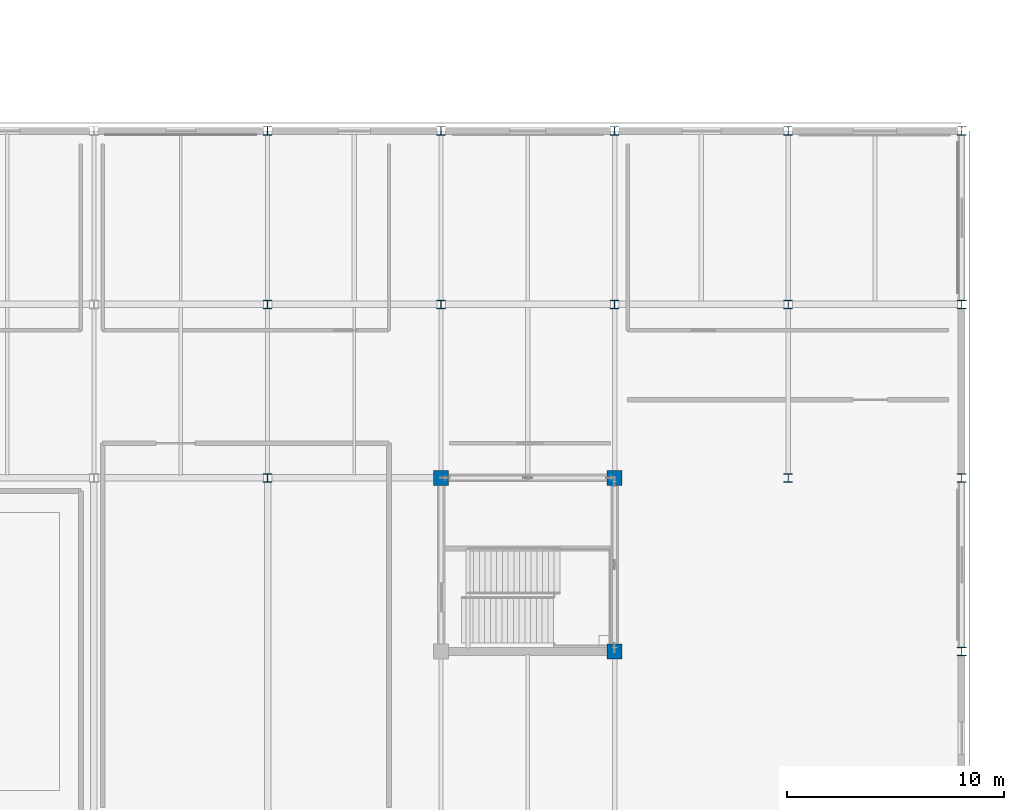
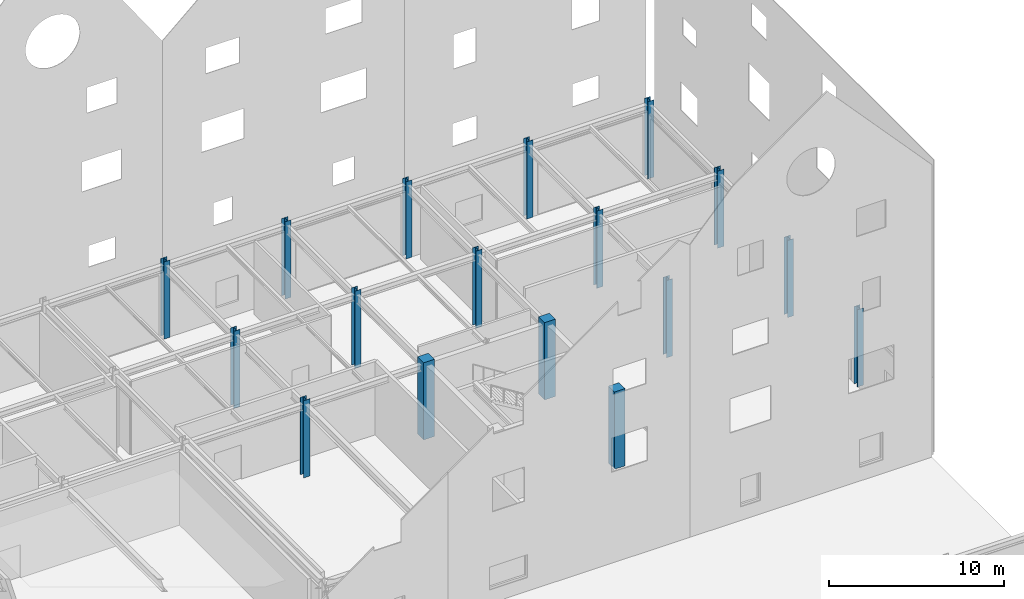
# One storey, part 19 of 119: 17 columns.
"""IFC4 building model written with IfcOpenShell, lengths in metres."""

import ifcopenshell
import ifcopenshell.guid

model = None  # the IFC model being written
_history = None  # IfcOwnerHistory: only IFC2X3 demands one
_inside = {}  # id of a spatial element -> (the spatial element, [elements in it])
_under = {}  # id of a project, library or spatial element -> (it, [spatial elements below it])
_declared = {}  # id of a project -> (the project, [libraries it declares])
_typed = {}  # id of a type object -> (the type object, [elements of that type])
_made_of = {}  # id of a material, layer set ... -> (it, [elements and type objects made of it])


def new_model(schema):
    """Start an empty IFC model of exactly this schema.

    Asked for "IFC4X3", IfcOpenShell would pick the latest addendum, in which some entities
    have other attributes; the version numbers below select the first issue.
    IFC2X3 requires an IfcOwnerHistory on every rooted entity: one is made here for all.
    """
    global model, _history
    if schema == "IFC4X3":
        model = ifcopenshell.file(schema_version=(4, 3, 0, 0))
    else:
        model = ifcopenshell.file(schema=schema)
    _inside.clear()
    _under.clear()
    _declared.clear()
    _typed.clear()
    _made_of.clear()
    _history = None
    if model.schema == "IFC2X3":
        org = make("IfcOrganization", Name="unknown")
        user = make(
            "IfcPersonAndOrganization",
            ThePerson=make("IfcPerson", FamilyName="unknown"),
            TheOrganization=org,
        )
        app = make(
            "IfcApplication",
            ApplicationDeveloper=org,
            Version="unknown",
            ApplicationFullName="unknown",
            ApplicationIdentifier="unknown",
        )
        _history = make(
            "IfcOwnerHistory",
            OwningUser=user,
            OwningApplication=app,
            ChangeAction="ADDED",
            CreationDate=0,
        )
    return model


def make(cls, **values):
    """One entity of the class cls with the attributes given. An attribute that is None is left unset."""
    return model.create_entity(
        cls, **{name: value for name, value in values.items() if value is not None}
    )


def rooted(cls, **values):
    """An entity with a GlobalId (a new one), such as an element, a storey or a relation."""
    return make(cls, GlobalId=ifcopenshell.guid.new(), OwnerHistory=_history, **values)


def si_unit(unit_type, name, prefix=None):
    """IfcSIUnit, for example si_unit("LENGTHUNIT", "METRE", prefix="MILLI")."""
    return make("IfcSIUnit", UnitType=unit_type, Prefix=prefix, Name=name)


def assignment(units):
    """IfcUnitAssignment: the units of a project."""
    return None if units is None else make("IfcUnitAssignment", Units=units)


def point(xyz):
    """IfcCartesianPoint."""
    return None if xyz is None else make("IfcCartesianPoint", Coordinates=xyz)


def direction(xyz):
    """IfcDirection."""
    return None if xyz is None else make("IfcDirection", DirectionRatios=xyz)


def frame(location, z_axis=None, x_axis=None):
    """IfcAxis2Placement3D, a coordinate frame: its origin and axes. An axis left out is left unset."""
    return make(
        "IfcAxis2Placement3D",
        Location=point(location),
        Axis=direction(z_axis),
        RefDirection=direction(x_axis),
    )


def frame_2d(location, x_axis=None):
    """IfcAxis2Placement2D, a coordinate frame in the plane: its origin and x axis."""
    return make(
        "IfcAxis2Placement2D", Location=point(location), RefDirection=direction(x_axis)
    )


def origin():
    """The frame at (0, 0, 0) with its axes left unset."""
    return frame((0.0, 0.0, 0.0))


def origin_2d():
    """The frame at (0, 0) in the plane with its x axis left unset."""
    return frame_2d((0.0, 0.0))


def place(relative_to, where):
    """IfcLocalPlacement: puts the frame where relative to a parent placement (None: the world)."""
    return make(
        "IfcLocalPlacement", PlacementRelTo=relative_to, RelativePlacement=where
    )


def context(
    kind, dimensions, precision=None, world=None, true_north=None, identifier=None
):
    """IfcGeometricRepresentationContext, for example the 3D "Model" context."""
    return make(
        "IfcGeometricRepresentationContext",
        ContextIdentifier=identifier,
        ContextType=kind,
        CoordinateSpaceDimension=dimensions,
        Precision=precision,
        WorldCoordinateSystem=world,
        TrueNorth=true_north,
    )


def subcontext(parent, identifier, kind, view, scale=None):
    """IfcGeometricRepresentationSubContext, for example "Body" below "Model"."""
    return make(
        "IfcGeometricRepresentationSubContext",
        ContextIdentifier=identifier,
        ContextType=kind,
        ParentContext=parent,
        TargetScale=scale,
        TargetView=view,
    )


def project(units=None, contexts=None):
    """IfcProject with its units and contexts."""
    return rooted(
        "IfcProject",
        Name="project",
        RepresentationContexts=contexts,
        UnitsInContext=assignment(units),
    )


def spatial(cls, under=None, at=None, **own):
    """A site, building, storey or space (cls), placed at a placement, below another one or the project."""
    s = rooted(cls, ObjectPlacement=at, **own)
    if under is not None:
        _under.setdefault(under.id(), (under, []))[1].append(s)
    return s


def profile(cls, at=None, kind="AREA", **sizes):
    """A parametric profile (cls). Its sizes go by their IFC names, for example OverallWidth=200.0."""
    return make(cls, ProfileType=kind, Position=at, **sizes)


def rectangle(**sizes):
    """IfcRectangleProfileDef."""
    return profile("IfcRectangleProfileDef", **sizes)


def i_section(**sizes):
    """IfcIShapeProfileDef."""
    return profile("IfcIShapeProfileDef", **sizes)


def extrude(swept, where, along, depth):
    """IfcExtrudedAreaSolid: the profile swept, set in the frame where, extruded along a direction by depth."""
    return make(
        "IfcExtrudedAreaSolid",
        SweptArea=swept,
        Position=where,
        ExtrudedDirection=direction(along),
        Depth=depth,
    )


def shape(context_of_items, identifier, shape_type, items):
    """IfcShapeRepresentation: the items that make up one representation, for example the "Body"."""
    return make(
        "IfcShapeRepresentation",
        ContextOfItems=context_of_items,
        RepresentationIdentifier=identifier,
        RepresentationType=shape_type,
        Items=items,
    )


def material(Name=None, Category=None):
    """IfcMaterial."""
    return make("IfcMaterial", Name=Name, Category=Category)


def material_profile(
    of_material, cross_section, Name=None, Category=None, Priority=None
):
    """IfcMaterialProfile: a cross section and its material."""
    return make(
        "IfcMaterialProfile",
        Name=Name,
        Material=of_material,
        Profile=cross_section,
        Priority=Priority,
        Category=Category,
    )


def profile_set(profiles, Name=None, composite=None):
    """IfcMaterialProfileSet."""
    return make(
        "IfcMaterialProfileSet",
        Name=Name,
        MaterialProfiles=profiles,
        CompositeProfile=composite,
    )


def made_of(thing, what):
    """Note that an element or type object is made of a material, layer set ...; save() writes the relation."""
    if what is not None:
        _made_of.setdefault(what.id(), (what, []))[1].append(thing)
    return thing


def type_object(cls, material=None, **own):
    """A type object (cls), such as IfcWallType, which elements share."""
    return made_of(rooted(cls, **own), material)


def element(
    cls,
    number,
    at=None,
    inside=None,
    cuts=None,
    type_object=None,
    material=None,
    context=None,
    identifier="Body",
    shape_type=None,
    held_by="IfcProductDefinitionShape",
    body=None,
    shapes=None,
    **own,
):
    """One element of the class cls, such as IfcWall. Its Tag is "e" and its number.

    at: its placement. inside: the storey or other place that contains it. cuts: it is an
    opening in that element (IfcRelVoidsElement). A single representation is given by context,
    identifier, shape_type and body (its items); several are given by shapes. held_by: the class
    of the entity that holds the representations. save() writes the other relations.
    """
    e = rooted(cls, Tag="e%d" % number, ObjectPlacement=at, **own)
    if body is not None:
        shapes = [shape(context, identifier, shape_type, body)]
    if shapes is not None:
        e.Representation = make(held_by, Representations=shapes)
    if inside is not None:
        _inside.setdefault(inside.id(), (inside, []))[1].append(e)
    if cuts is not None:
        rooted(
            "IfcRelVoidsElement", RelatingBuildingElement=cuts, RelatedOpeningElement=e
        )
    if type_object is not None:
        _typed.setdefault(type_object.id(), (type_object, []))[1].append(e)
    return made_of(e, material)


def aggregate(whole, parts):
    """IfcRelAggregates: a whole, such as a stair, and the parts it consists of."""
    return rooted("IfcRelAggregates", RelatingObject=whole, RelatedObjects=parts)


def save(model, path):
    """Write the relations noted so far, then the file.

    IfcRelAggregates (storeys below a building ...), IfcRelContainedInSpatialStructure (elements
    in a storey), IfcRelDefinesByType, IfcRelAssociatesMaterial and IfcRelDeclares: one each for
    every whole, place, type object, material and project.
    """
    for whole, parts in _under.values():
        aggregate(whole, parts)
    for where, things in _inside.values():
        rooted(
            "IfcRelContainedInSpatialStructure",
            RelatedElements=things,
            RelatingStructure=where,
        )
    for kind, things in _typed.values():
        rooted("IfcRelDefinesByType", RelatedObjects=things, RelatingType=kind)
    for what, things in _made_of.values():
        rooted("IfcRelAssociatesMaterial", RelatedObjects=things, RelatingMaterial=what)
    for by, libraries in _declared.values():
        rooted("IfcRelDeclares", RelatingContext=by, RelatedDefinitions=libraries)
    model.write(path)


model = new_model("IFC4")

# Units and contexts
model_context = context("Model", 3, precision=1e-05, world=origin(), true_north=direction((0.0, 1.0)))
body_context = subcontext(model_context, "Body", "Model", "MODEL_VIEW")
ifc_project = project(units=[si_unit("LENGTHUNIT", "METRE"), si_unit("AREAUNIT", "SQUARE_METRE"), si_unit("VOLUMEUNIT", "CUBIC_METRE"), si_unit("PLANEANGLEUNIT", "RADIAN"), si_unit("MASSUNIT", "GRAM", prefix="KILO")], contexts=[model_context])

# Site, building, storey
site_placement = place(None, origin())
site = spatial("IfcSite", under=ifc_project, at=site_placement, CompositionType="ELEMENT")
building_placement = place(site_placement, origin())
building = spatial("IfcBuilding", under=site, at=building_placement, Name="Zhaolan Boulevard Law Courts", CompositionType="ELEMENT")
storey_placement = place(building_placement, origin())
storey = spatial("IfcBuildingStorey", under=building, at=storey_placement, Name="L00", CompositionType="ELEMENT", Elevation=0.0)

# Columns
ifc_material_1 = material(Name="Structural steel Q390B", Category="steel")
ifc_material_profile_1 = material_profile(ifc_material_1, i_section(OverallWidth=0.39990234375, OverallDepth=0.39990234375, WebThickness=0.012939453125, FlangeThickness=0.02099609375, FilletRadius=0.02197265625, at=origin_2d()), Name="HW400x400")
ifc_profile_set_1 = profile_set([ifc_material_profile_1], Name="Structural steel Q390B")
column_type_1 = type_object("IfcColumnType", Name="COL HW400", PredefinedType="COLUMN", material=ifc_profile_set_1)
for number, where, z_axis, x_axis, name in (
    (1, (132.0, 78.0, 0.0), (0.0, 0.0, 1.0), (1.0, 0.0, 0.0), "Column C-17L (L00)"),
    (2, (132.0, 86.0, 0.0), (0.0, 0.0, 1.0), (1.0, 0.0, 0.0), "Column C-17M (L00)"),
    (3, (132.0, 94.0, 0.0), (0.0, 0.0, 1.0), (1.0, 0.0, 0.0), "Column C-17N (L00)"),
    (4, (140.0, 86.0, 0.0), (0.0, 0.0, 1.0), (1.0, 0.0, 0.0), "Column C-18M (L00)"),
    (5, (140.0, 94.0, 0.0), (0.0, 0.0, 1.0), (1.0, 0.0, 0.0), "Column C-18N (L00)"),
    (6, (148.0, 86.0, 0.0), (0.0, 0.0, 1.0), (1.0, 0.0, 0.0), "Column C-19M (L00)"),
    (7, (148.0, 94.0, 0.0), (0.0, 0.0, 1.0), (1.0, 0.0, 0.0), "Column C-19N (L00)"),
    (8, (156.0, 78.0, 0.0), (0.0, 0.0, 1.0), (1.0, 0.0, 0.0), "Column C-20L (L00)"),
    (9, (156.0, 86.0, 0.0), (0.0, 0.0, 1.0), (1.0, 0.0, 0.0), "Column C-20M (L00)"),
    (10, (156.0, 94.0, 0.0), (0.0, 0.0, 1.0), (1.0, 0.0, 0.0), "Column C-20N (L00)"),
    (11, (164.0, 70.0, 0.0), (0.0, 0.0, 1.0), (1.0, 0.0, 0.0), "Column C-21K (L00)"),
    (12, (164.0, 78.0, 0.0), (0.0, 0.0, 1.0), (1.0, 0.0, 0.0), "Column C-21L (L00)"),
    (13, (164.0, 86.0, 0.0), (0.0, 0.0, 1.0), (1.0, 0.0, 0.0), "Column C-21M (L00)"),
    (14, (164.0, 94.0, 0.0), (0.0, 0.0, 1.0), (1.0, 0.0, 0.0), "Column C-21N (L00)"),
):
    element("IfcColumn", number, at=place(storey_placement, frame(where, z_axis=z_axis, x_axis=x_axis)), inside=storey, type_object=column_type_1, Name=name, PredefinedType="COLUMN", context=body_context, shape_type="SweptSolid", body=[
        extrude(i_section(OverallWidth=0.39990234375, OverallDepth=0.39990234375, WebThickness=0.012939453125, FlangeThickness=0.02099609375, FilletRadius=0.02197265625, at=origin_2d()), origin(), (0.0, 0.0, 1.0), 5.39990234375),
    ])
ifc_material_2 = material(Name="Concrete C50", Category="concrete")
ifc_material_profile_2 = material_profile(ifc_material_2, rectangle(XDim=0.699951171875, YDim=0.699951171875, at=origin_2d()), Name="RC700x700")
ifc_profile_set_2 = profile_set([ifc_material_profile_2], Name="Concrete C50")
column_type_2 = type_object("IfcColumnType", Name="COL RC700", PredefinedType="COLUMN", material=ifc_profile_set_2)
for number, where, z_axis, x_axis, name in (
    (15, (140.0, 78.0, 0.0), (0.0, 0.0, 1.0), (1.0, 0.0, 0.0), "Column C-18L (L00)"),
    (16, (148.0, 70.0, 0.0), (0.0, 0.0, 1.0), (1.0, 0.0, 0.0), "Column C-19K (L00)"),
    (17, (148.0, 78.0, 0.0), (0.0, 0.0, 1.0), (1.0, 0.0, 0.0), "Column C-19L (L00)"),
):
    element("IfcColumn", number, at=place(storey_placement, frame(where, z_axis=z_axis, x_axis=x_axis)), inside=storey, type_object=column_type_2, Name=name, PredefinedType="COLUMN", context=body_context, shape_type="SweptSolid", body=[
        extrude(rectangle(XDim=0.699951171875, YDim=0.699951171875, at=origin_2d()), origin(), (0.0, 0.0, 1.0), 5.39990234375),
    ])

save(model, "model.ifc")
